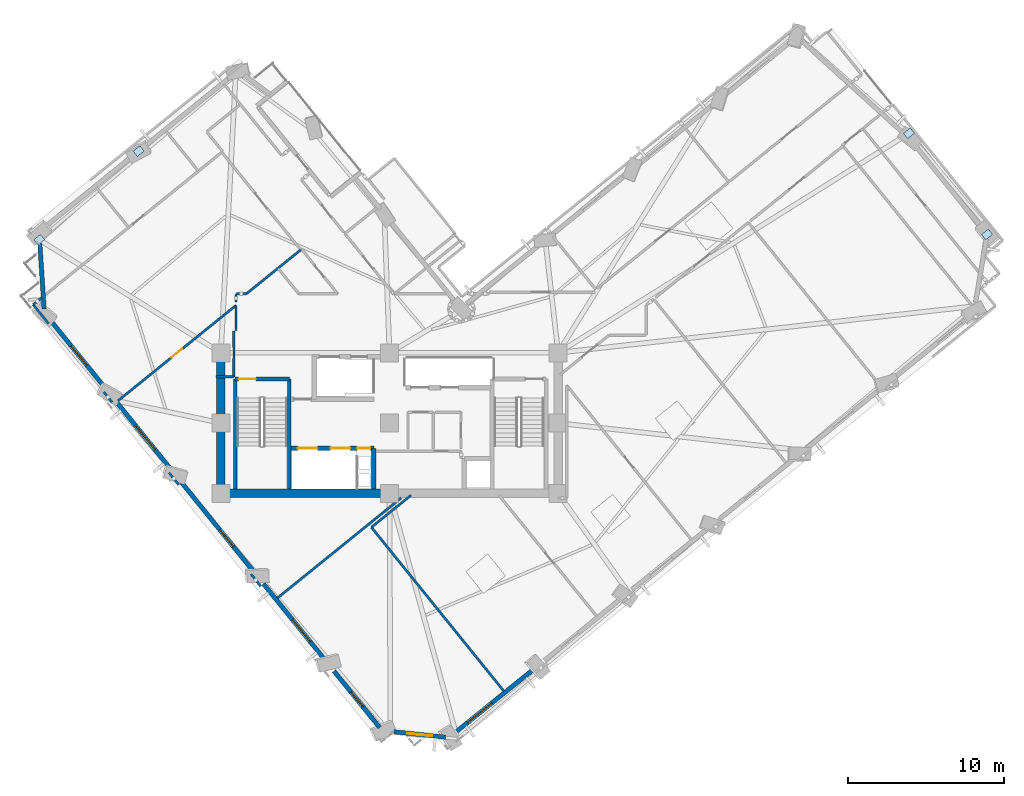
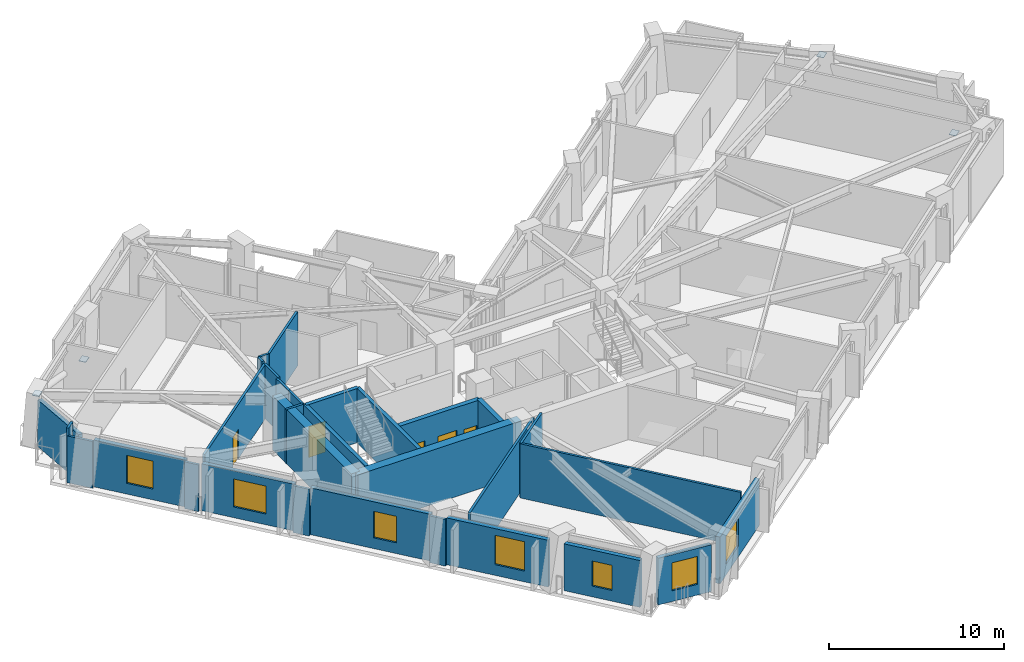
# One storey, part 5 of 14: 31 walls, 7 windows, 5 doors, 4 plates, 12 openings.
"""IFC4 building model written with IfcOpenShell, lengths in metres."""

import ifcopenshell
import ifcopenshell.guid

model = None  # the IFC model being written
_history = None  # IfcOwnerHistory: only IFC2X3 demands one
_inside = {}  # id of a spatial element -> (the spatial element, [elements in it])
_under = {}  # id of a project, library or spatial element -> (it, [spatial elements below it])
_declared = {}  # id of a project -> (the project, [libraries it declares])
_typed = {}  # id of a type object -> (the type object, [elements of that type])
_made_of = {}  # id of a material, layer set ... -> (it, [elements and type objects made of it])


def new_model(schema):
    """Start an empty IFC model of exactly this schema.

    Asked for "IFC4X3", IfcOpenShell would pick the latest addendum, in which some entities
    have other attributes; the version numbers below select the first issue.
    IFC2X3 requires an IfcOwnerHistory on every rooted entity: one is made here for all.
    """
    global model, _history
    if schema == "IFC4X3":
        model = ifcopenshell.file(schema_version=(4, 3, 0, 0))
    else:
        model = ifcopenshell.file(schema=schema)
    _inside.clear()
    _under.clear()
    _declared.clear()
    _typed.clear()
    _made_of.clear()
    _history = None
    if model.schema == "IFC2X3":
        org = make("IfcOrganization", Name="unknown")
        user = make(
            "IfcPersonAndOrganization",
            ThePerson=make("IfcPerson", FamilyName="unknown"),
            TheOrganization=org,
        )
        app = make(
            "IfcApplication",
            ApplicationDeveloper=org,
            Version="unknown",
            ApplicationFullName="unknown",
            ApplicationIdentifier="unknown",
        )
        _history = make(
            "IfcOwnerHistory",
            OwningUser=user,
            OwningApplication=app,
            ChangeAction="ADDED",
            CreationDate=0,
        )
    return model


def make(cls, **values):
    """One entity of the class cls with the attributes given. An attribute that is None is left unset."""
    return model.create_entity(
        cls, **{name: value for name, value in values.items() if value is not None}
    )


def rooted(cls, **values):
    """An entity with a GlobalId (a new one), such as an element, a storey or a relation."""
    return make(cls, GlobalId=ifcopenshell.guid.new(), OwnerHistory=_history, **values)


def si_unit(unit_type, name, prefix=None):
    """IfcSIUnit, for example si_unit("LENGTHUNIT", "METRE", prefix="MILLI")."""
    return make("IfcSIUnit", UnitType=unit_type, Prefix=prefix, Name=name)


def assignment(units):
    """IfcUnitAssignment: the units of a project."""
    return None if units is None else make("IfcUnitAssignment", Units=units)


def point(xyz):
    """IfcCartesianPoint."""
    return None if xyz is None else make("IfcCartesianPoint", Coordinates=xyz)


def direction(xyz):
    """IfcDirection."""
    return None if xyz is None else make("IfcDirection", DirectionRatios=xyz)


def frame(location, z_axis=None, x_axis=None):
    """IfcAxis2Placement3D, a coordinate frame: its origin and axes. An axis left out is left unset."""
    return make(
        "IfcAxis2Placement3D",
        Location=point(location),
        Axis=direction(z_axis),
        RefDirection=direction(x_axis),
    )


def frame_2d(location, x_axis=None):
    """IfcAxis2Placement2D, a coordinate frame in the plane: its origin and x axis."""
    return make(
        "IfcAxis2Placement2D", Location=point(location), RefDirection=direction(x_axis)
    )


def origin():
    """The frame at (0, 0, 0) with its axes left unset."""
    return frame((0.0, 0.0, 0.0))


def origin_2d():
    """The frame at (0, 0) in the plane with its x axis left unset."""
    return frame_2d((0.0, 0.0))


def place(relative_to, where):
    """IfcLocalPlacement: puts the frame where relative to a parent placement (None: the world)."""
    return make(
        "IfcLocalPlacement", PlacementRelTo=relative_to, RelativePlacement=where
    )


def context(
    kind, dimensions, precision=None, world=None, true_north=None, identifier=None
):
    """IfcGeometricRepresentationContext, for example the 3D "Model" context."""
    return make(
        "IfcGeometricRepresentationContext",
        ContextIdentifier=identifier,
        ContextType=kind,
        CoordinateSpaceDimension=dimensions,
        Precision=precision,
        WorldCoordinateSystem=world,
        TrueNorth=true_north,
    )


def subcontext(parent, identifier, kind, view, scale=None):
    """IfcGeometricRepresentationSubContext, for example "Body" below "Model"."""
    return make(
        "IfcGeometricRepresentationSubContext",
        ContextIdentifier=identifier,
        ContextType=kind,
        ParentContext=parent,
        TargetScale=scale,
        TargetView=view,
    )


def project(units=None, contexts=None):
    """IfcProject with its units and contexts."""
    return rooted(
        "IfcProject",
        Name="project",
        RepresentationContexts=contexts,
        UnitsInContext=assignment(units),
    )


def spatial(cls, under=None, at=None, **own):
    """A site, building, storey or space (cls), placed at a placement, below another one or the project."""
    s = rooted(cls, ObjectPlacement=at, **own)
    if under is not None:
        _under.setdefault(under.id(), (under, []))[1].append(s)
    return s


def profile(cls, at=None, kind="AREA", **sizes):
    """A parametric profile (cls). Its sizes go by their IFC names, for example OverallWidth=200.0."""
    return make(cls, ProfileType=kind, Position=at, **sizes)


def rectangle(**sizes):
    """IfcRectangleProfileDef."""
    return profile("IfcRectangleProfileDef", **sizes)


def extrude(swept, where, along, depth):
    """IfcExtrudedAreaSolid: the profile swept, set in the frame where, extruded along a direction by depth."""
    return make(
        "IfcExtrudedAreaSolid",
        SweptArea=swept,
        Position=where,
        ExtrudedDirection=direction(along),
        Depth=depth,
    )


def shape(context_of_items, identifier, shape_type, items):
    """IfcShapeRepresentation: the items that make up one representation, for example the "Body"."""
    return make(
        "IfcShapeRepresentation",
        ContextOfItems=context_of_items,
        RepresentationIdentifier=identifier,
        RepresentationType=shape_type,
        Items=items,
    )


def material(Name=None, Category=None):
    """IfcMaterial."""
    return make("IfcMaterial", Name=Name, Category=Category)


def layer(
    of_material, thickness, ventilated=None, Name=None, Category=None, Priority=None
):
    """IfcMaterialLayer: one layer of a wall or slab, of a material (None: an air gap)."""
    return make(
        "IfcMaterialLayer",
        Material=of_material,
        LayerThickness=thickness,
        IsVentilated=ventilated,
        Name=Name,
        Category=Category,
        Priority=Priority,
    )


def layer_set(layers, Name=None):
    """IfcMaterialLayerSet."""
    return make("IfcMaterialLayerSet", MaterialLayers=layers, LayerSetName=Name)


def made_of(thing, what):
    """Note that an element or type object is made of a material, layer set ...; save() writes the relation."""
    if what is not None:
        _made_of.setdefault(what.id(), (what, []))[1].append(thing)
    return thing


def type_object(cls, material=None, **own):
    """A type object (cls), such as IfcWallType, which elements share."""
    return made_of(rooted(cls, **own), material)


def element(
    cls,
    number,
    at=None,
    inside=None,
    cuts=None,
    type_object=None,
    material=None,
    context=None,
    identifier="Body",
    shape_type=None,
    held_by="IfcProductDefinitionShape",
    body=None,
    shapes=None,
    **own,
):
    """One element of the class cls, such as IfcWall. Its Tag is "e" and its number.

    at: its placement. inside: the storey or other place that contains it. cuts: it is an
    opening in that element (IfcRelVoidsElement). A single representation is given by context,
    identifier, shape_type and body (its items); several are given by shapes. held_by: the class
    of the entity that holds the representations. save() writes the other relations.
    """
    e = rooted(cls, Tag="e%d" % number, ObjectPlacement=at, **own)
    if body is not None:
        shapes = [shape(context, identifier, shape_type, body)]
    if shapes is not None:
        e.Representation = make(held_by, Representations=shapes)
    if inside is not None:
        _inside.setdefault(inside.id(), (inside, []))[1].append(e)
    if cuts is not None:
        rooted(
            "IfcRelVoidsElement", RelatingBuildingElement=cuts, RelatedOpeningElement=e
        )
    if type_object is not None:
        _typed.setdefault(type_object.id(), (type_object, []))[1].append(e)
    return made_of(e, material)


def fill(opening, filler):
    """IfcRelFillsElement: the door or window that sits in an opening."""
    return rooted(
        "IfcRelFillsElement",
        RelatingOpeningElement=opening,
        RelatedBuildingElement=filler,
    )


def aggregate(whole, parts):
    """IfcRelAggregates: a whole, such as a stair, and the parts it consists of."""
    return rooted("IfcRelAggregates", RelatingObject=whole, RelatedObjects=parts)


def save(model, path):
    """Write the relations noted so far, then the file.

    IfcRelAggregates (storeys below a building ...), IfcRelContainedInSpatialStructure (elements
    in a storey), IfcRelDefinesByType, IfcRelAssociatesMaterial and IfcRelDeclares: one each for
    every whole, place, type object, material and project.
    """
    for whole, parts in _under.values():
        aggregate(whole, parts)
    for where, things in _inside.values():
        rooted(
            "IfcRelContainedInSpatialStructure",
            RelatedElements=things,
            RelatingStructure=where,
        )
    for kind, things in _typed.values():
        rooted("IfcRelDefinesByType", RelatedObjects=things, RelatingType=kind)
    for what, things in _made_of.values():
        rooted("IfcRelAssociatesMaterial", RelatedObjects=things, RelatingMaterial=what)
    for by, libraries in _declared.values():
        rooted("IfcRelDeclares", RelatingContext=by, RelatedDefinitions=libraries)
    model.write(path)


model = new_model("IFC4")

# Units and contexts
model_context = context("Model", 3, precision=1e-05, world=origin(), true_north=direction((0.0, 1.0)))
body_context = subcontext(model_context, "Body", "Model", "MODEL_VIEW")
ifc_project = project(units=[si_unit("LENGTHUNIT", "METRE"), si_unit("AREAUNIT", "SQUARE_METRE"), si_unit("VOLUMEUNIT", "CUBIC_METRE"), si_unit("PLANEANGLEUNIT", "RADIAN"), si_unit("MASSUNIT", "GRAM", prefix="KILO")], contexts=[model_context])

# Site, building, storey
site_placement = place(None, origin())
site = spatial("IfcSite", under=ifc_project, at=site_placement, CompositionType="ELEMENT")
building_placement = place(site_placement, origin())
building = spatial("IfcBuilding", under=site, at=building_placement, Name="Gaonmaruhae Medical Tower", CompositionType="ELEMENT")
storey_placement = place(building_placement, frame((0.0, 0.0, 189.800048828125)))
storey = spatial("IfcBuildingStorey", under=building, at=storey_placement, Name="L45", CompositionType="ELEMENT", Elevation=189.800048828125)

# Plates
ifc_material_1 = material(Name="Steel HSA650 (650 MPa)", Category="steel")
ifc_layer_1 = layer(ifc_material_1, 0.028076171875)
ifc_layer_set_1 = layer_set([ifc_layer_1], Name="Steel HSA650 (650 MPa)")
plate_type = type_object("IfcPlateType", Name="GP-02 Tube Brace End Cap Gusset Plate", PredefinedType="USERDEFINED", material=ifc_layer_set_1)
for number, where, z_axis, x_axis, name in (
    (1, (63.064697265625, 24.379150390625, 0.23583984375), (0.0, 0.0, 1.0), (0.777694851116, 0.628641963719, 0.0), "L45 Gusset Cap Plate PLT-L45-PBR-E01A"),
    (2, (58.064208984375, 30.8515625, 3.51611328125), (0.0, 0.0, 1.0), (0.767165151815, 0.641449631569, 0.0), "L45 Gusset Cap Plate PLT-L45-PBR-E01B"),
    (3, (8.7353515625, 29.710693359375, 0.23583984375), (0.0, 0.0, 1.0), (0.777694851116, 0.628641963719, 0.0), "L45 Gusset Cap Plate PLT-L45-PBR-N02A"),
    (4, (2.36669921875, 24.037841796875, 3.51611328125), (0.0, 0.0, 1.0), (0.767165151815, 0.641449631569, 0.0), "L45 Gusset Cap Plate PLT-L45-PBR-N02B"),
):
    element("IfcPlate", number, at=place(storey_placement, frame(where, z_axis=z_axis, x_axis=x_axis)), inside=storey, type_object=plate_type, Name=name, ObjectType="GUSSET_PLATE", PredefinedType="USERDEFINED", context=body_context, shape_type="SweptSolid", body=[
        extrude(rectangle(XDim=0.56005859375, YDim=0.43994140625, at=origin_2d()), origin(), (0.0, 0.0, 1.0), 0.028076171875),
    ])

# Walls
ifc_material_2 = material(Name="Concrete C50/60", Category="concrete")
ifc_layer_2 = layer(ifc_material_2, 0.550048828125)
ifc_layer_set_2 = layer_set([ifc_layer_2], Name="Concrete C50/60")
wall_type_1 = type_object("IfcWallType", Name="CW-550 Mid-High Core Shear Wall", PredefinedType="SHEAR", material=ifc_layer_set_2)
wall_1_placement = place(storey_placement, frame((14.0, 7.800048828125, 0.0), z_axis=(0.0, 0.0, 1.0), x_axis=(1.0, 0.0, 0.0)))
element("IfcWall", 5, at=wall_1_placement, inside=storey, type_object=wall_type_1, Name="L45 Core Shear Wall CSW-S1", PredefinedType="SHEAR", context=body_context, shape_type="SweptSolid", body=[
    extrude(rectangle(XDim=10.800048828125, YDim=0.550048828125, at=frame_2d((5.39990234375, 0.0))), origin(), (0.0, 0.0, 1.0), 3.780029296875),
])
wall_2_placement = place(storey_placement, frame((14.0, 16.800048828125, 0.0), z_axis=(0.0, 0.0, 1.0), x_axis=(0.0, -1.0, 0.0)))
element("IfcWall", 6, at=wall_2_placement, inside=storey, type_object=wall_type_1, Name="L45 Core Shear Wall CSW-W1", PredefinedType="SHEAR", context=body_context, shape_type="SweptSolid", body=[
    extrude(rectangle(XDim=9.0, YDim=0.550048828125, at=frame_2d((4.5, 0.0))), origin(), (0.0, 0.0, 1.0), 3.780029296875),
])

# Wall, opening, window
ifc_material_3 = material(Name="Precast concrete C45/55", Category="concrete")
ifc_layer_3 = layer(ifc_material_3, 0.280029296875)
ifc_layer_set_3 = layer_set([ifc_layer_3], Name="Precast concrete C45/55")
wall_type_2 = type_object("IfcWallType", Name="EW-280 Upper Precast Masonry-Frame Facade Wall", PredefinedType="SOLIDWALL", material=ifc_layer_set_3)
wall_3_placement = place(storey_placement, frame((33.9853515625, -3.498779296875, 0.0), z_axis=(0.0, 0.0, 1.0), x_axis=(-0.777713460701, -0.628618941048, 0.0)))
wall_3 = element("IfcWall", 7, at=wall_3_placement, inside=storey, type_object=wall_type_2, Name="L45 Precast Masonry-Frame Wall S01-S02", PredefinedType="SOLIDWALL", context=body_context, shape_type="SweptSolid", body=[
    extrude(rectangle(XDim=6.27001953125, YDim=0.280029296875, at=frame_2d((3.135009765625, 0.0))), origin(), (0.0, 0.0, 1.0), 3.264892578125),
])
opening_1_placement = place(wall_3_placement, frame((3.38427734375, 0.0, 0.75)))
opening_1 = element("IfcOpeningElement", 8, at=opening_1_placement, cuts=wall_3, Name="Opening WN-02", PredefinedType="OPENING", context=body_context, shape_type="SweptSolid", body=[
    extrude(rectangle(XDim=2.0, YDim=1.949951171875, at=frame_2d((1.0, 0.97509765625))), frame((0.0, 0.14990234375, 0.0), z_axis=(0.0, -1.0, 0.0), x_axis=(1.0, 0.0, 0.0)), (0.0, 0.0, 1.0), 0.300048828125),
])
ifc_material_4 = material(Name="Anodised aluminium and Low-E double glazing", Category="aluminium")
window_type_1 = type_object("IfcWindowType", Name="WN-02 Double-Bed Ward Punched Window 2000x1950", PartitioningType="SINGLE_PANEL", PredefinedType="WINDOW", material=ifc_material_4)
window_1_placement = place(opening_1_placement, origin())
window_1 = element("IfcWindow", 9, at=window_1_placement, inside=storey, type_object=window_type_1, Name="L45 Modular Facade Window S01", OverallHeight=1.949951171875, OverallWidth=2.0, PartitioningType="SINGLE_PANEL", PredefinedType="WINDOW", context=body_context, shape_type="SweptSolid", body=[
    extrude(rectangle(XDim=2.0, YDim=1.949951171875, at=frame_2d((1.0, 0.97509765625))), frame((0.0, 0.030029296875, 0.0), z_axis=(0.0, -1.0, 0.0), x_axis=(1.0, 0.0, 0.0)), (0.0, 0.0, 1.0), 0.06005859375),
])
fill(opening_1, window_1)

# Wall
wall_4_placement = place(storey_placement, frame((2.681396484375, 19.601318359375, 0.0), z_axis=(0.0, 0.0, 1.0), x_axis=(-0.065060308934, 0.997881333727, 0.0)))
element("IfcWall", 10, at=wall_4_placement, inside=storey, type_object=wall_type_2, Name="L45 Precast Masonry-Frame Wall N03-W01", PredefinedType="SOLIDWALL", context=body_context, shape_type="SweptSolid", body=[
    extrude(rectangle(XDim=4.21044921875, YDim=0.280029296875, at=frame_2d((2.105224609375, 0.0))), origin(), (0.0, 0.0, 1.0), 3.264892578125),
])

# Wall, opening, window
wall_5_placement = place(storey_placement, frame((6.680419921875, 14.4365234375, 0.0), z_axis=(0.0, 0.0, 1.0), x_axis=(-0.628638981457, 0.777697261788, 0.0)))
wall_5 = element("IfcWall", 11, at=wall_5_placement, inside=storey, type_object=wall_type_2, Name="L45 Precast Masonry-Frame Wall W01-W02", PredefinedType="SOLIDWALL", context=body_context, shape_type="SweptSolid", body=[
    extrude(rectangle(XDim=5.627685546875, YDim=0.280029296875, at=frame_2d((2.81396484375, 0.0))), origin(), (0.0, 0.0, 1.0), 3.264892578125),
])
opening_2_placement = place(wall_5_placement, frame((2.01123046875, 0.0, 0.75)))
opening_2 = element("IfcOpeningElement", 12, at=opening_2_placement, cuts=wall_5, Name="Opening WN-01", PredefinedType="OPENING", context=body_context, shape_type="SweptSolid", body=[
    extrude(rectangle(XDim=1.60009765625, YDim=1.949951171875, at=frame_2d((0.800048828125, 0.97509765625))), frame((0.0, 0.14990234375, 0.0), z_axis=(0.0, -1.0, 0.0), x_axis=(1.0, 0.0, 0.0)), (0.0, 0.0, 1.0), 0.300048828125),
])
window_type_2 = type_object("IfcWindowType", Name="WN-01 Ward Punched Acoustic Window 1600x1950", PartitioningType="SINGLE_PANEL", PredefinedType="WINDOW", material=ifc_material_4)
window_2_placement = place(opening_2_placement, origin())
window_2 = element("IfcWindow", 13, at=window_2_placement, inside=storey, type_object=window_type_2, Name="L45 Modular Facade Window W01", OverallHeight=1.949951171875, OverallWidth=1.60009765625, PartitioningType="SINGLE_PANEL", PredefinedType="WINDOW", context=body_context, shape_type="SweptSolid", body=[
    extrude(rectangle(XDim=1.60009765625, YDim=1.949951171875, at=frame_2d((0.800048828125, 0.97509765625))), frame((0.0, 0.030029296875, 0.0), z_axis=(0.0, -1.0, 0.0), x_axis=(1.0, 0.0, 0.0)), (0.0, 0.0, 1.0), 0.06005859375),
])
fill(opening_2, window_2)

wall_6_placement = place(storey_placement, frame((10.857666015625, 9.26904296875, 0.0), z_axis=(0.0, 0.0, 1.0), x_axis=(-0.628636154894, 0.777699546586, 0.0)))
wall_6 = element("IfcWall", 14, at=wall_6_placement, inside=storey, type_object=wall_type_2, Name="L45 Precast Masonry-Frame Wall W02-W03", PredefinedType="SOLIDWALL", context=body_context, shape_type="SweptSolid", body=[
    extrude(rectangle(XDim=5.661865234375, YDim=0.280029296875, at=frame_2d((2.8310546875, 0.0))), origin(), (0.0, 0.0, 1.0), 3.264892578125),
])
opening_3_placement = place(wall_6_placement, frame((1.710693359375, 0.0, 0.75)))
opening_3 = element("IfcOpeningElement", 15, at=opening_3_placement, cuts=wall_6, Name="Opening WN-02", PredefinedType="OPENING", context=body_context, shape_type="SweptSolid", body=[
    extrude(rectangle(XDim=2.0, YDim=1.949951171875, at=frame_2d((1.0, 0.97509765625))), frame((0.0, 0.14990234375, 0.0), z_axis=(0.0, -1.0, 0.0), x_axis=(1.0, 0.0, 0.0)), (0.0, 0.0, 1.0), 0.300048828125),
])
window_3_placement = place(opening_3_placement, origin())
window_3 = element("IfcWindow", 16, at=window_3_placement, inside=storey, type_object=window_type_1, Name="L45 Modular Facade Window W02", OverallHeight=1.949951171875, OverallWidth=2.0, PartitioningType="SINGLE_PANEL", PredefinedType="WINDOW", context=body_context, shape_type="SweptSolid", body=[
    extrude(rectangle(XDim=2.0, YDim=1.949951171875, at=frame_2d((1.0, 0.97509765625))), frame((0.0, 0.030029296875, 0.0), z_axis=(0.0, -1.0, 0.0), x_axis=(1.0, 0.0, 0.0)), (0.0, 0.0, 1.0), 0.06005859375),
])
fill(opening_3, window_3)

wall_7_placement = place(storey_placement, frame((16.1083984375, 2.7734375, 0.0), z_axis=(0.0, 0.0, 1.0), x_axis=(-0.628635084849, 0.777700411532, 0.0)))
wall_7 = element("IfcWall", 17, at=wall_7_placement, inside=storey, type_object=wall_type_2, Name="L45 Precast Masonry-Frame Wall W03-W04", PredefinedType="SOLIDWALL", context=body_context, shape_type="SweptSolid", body=[
    extrude(rectangle(XDim=7.3603515625, YDim=0.280029296875, at=frame_2d((3.68017578125, 0.0))), origin(), (0.0, 0.0, 1.0), 3.264892578125),
])
opening_4_placement = place(wall_7_placement, frame((2.087646484375, 0.0, 0.75)))
opening_4 = element("IfcOpeningElement", 18, at=opening_4_placement, cuts=wall_7, Name="Opening WN-03", PredefinedType="OPENING", context=body_context, shape_type="SweptSolid", body=[
    extrude(rectangle(XDim=1.39990234375, YDim=1.85009765625, at=frame_2d((0.699951171875, 0.925048828125))), frame((0.0, 0.14990234375, 0.0), z_axis=(0.0, -1.0, 0.0), x_axis=(1.0, 0.0, 0.0)), (0.0, 0.0, 1.0), 0.300048828125),
])
window_type_3 = type_object("IfcWindowType", Name="WN-03 Isolation Ward Punched Window 1400x1850", PartitioningType="SINGLE_PANEL", PredefinedType="WINDOW", material=ifc_material_4)
window_4_placement = place(opening_4_placement, origin())
window_4 = element("IfcWindow", 19, at=window_4_placement, inside=storey, type_object=window_type_3, Name="L45 Modular Facade Window W03", OverallHeight=1.85009765625, OverallWidth=1.39990234375, PartitioningType="SINGLE_PANEL", PredefinedType="WINDOW", context=body_context, shape_type="SweptSolid", body=[
    extrude(rectangle(XDim=1.39990234375, YDim=1.85009765625, at=frame_2d((0.699951171875, 0.925048828125))), frame((0.0, 0.030029296875, 0.0), z_axis=(0.0, -1.0, 0.0), x_axis=(1.0, 0.0, 0.0)), (0.0, 0.0, 1.0), 0.06005859375),
])
fill(opening_4, window_4)

wall_8_placement = place(storey_placement, frame((20.640869140625, -2.83349609375, 0.0), z_axis=(0.0, 0.0, 1.0), x_axis=(-0.628652998625, 0.777685931029, 0.0)))
wall_8 = element("IfcWall", 20, at=wall_8_placement, inside=storey, type_object=wall_type_2, Name="L45 Precast Masonry-Frame Wall W04-W05", PredefinedType="SOLIDWALL", context=body_context, shape_type="SweptSolid", body=[
    extrude(rectangle(XDim=6.223388671875, YDim=0.280029296875, at=frame_2d((3.11181640625, 0.0))), origin(), (0.0, 0.0, 1.0), 3.264892578125),
])
opening_5_placement = place(wall_8_placement, frame((1.47509765625, 0.0, 0.75)))
opening_5 = element("IfcOpeningElement", 21, at=opening_5_placement, cuts=wall_8, Name="Opening WN-04", PredefinedType="OPENING", context=body_context, shape_type="SweptSolid", body=[
    extrude(rectangle(XDim=1.800048828125, YDim=2.050048828125, at=frame_2d((0.89990234375, 1.02490234375))), frame((0.0, 0.14990234375, 0.0), z_axis=(0.0, -1.0, 0.0), x_axis=(1.0, 0.0, 0.0)), (0.0, 0.0, 1.0), 0.300048828125),
])
window_type_4 = type_object("IfcWindowType", Name="WN-04 Clinic & Consult Punched Window 1800x2050", PartitioningType="SINGLE_PANEL", PredefinedType="WINDOW", material=ifc_material_4)
window_5_placement = place(opening_5_placement, origin())
window_5 = element("IfcWindow", 22, at=window_5_placement, inside=storey, type_object=window_type_4, Name="L45 Modular Facade Window W04", OverallHeight=2.050048828125, OverallWidth=1.800048828125, PartitioningType="SINGLE_PANEL", PredefinedType="WINDOW", context=body_context, shape_type="SweptSolid", body=[
    extrude(rectangle(XDim=1.800048828125, YDim=2.050048828125, at=frame_2d((0.89990234375, 1.02490234375))), frame((0.0, 0.030029296875, 0.0), z_axis=(0.0, -1.0, 0.0), x_axis=(1.0, 0.0, 0.0)), (0.0, 0.0, 1.0), 0.06005859375),
])
fill(opening_5, window_5)

wall_9_placement = place(storey_placement, frame((24.16943359375, -7.198974609375, 0.0), z_axis=(0.0, 0.0, 1.0), x_axis=(-0.628652530647, 0.777686309325, 0.0)))
wall_9 = element("IfcWall", 23, at=wall_9_placement, inside=storey, type_object=wall_type_2, Name="L45 Precast Masonry-Frame Wall W05-W06", PredefinedType="SOLIDWALL", context=body_context, shape_type="SweptSolid", body=[
    extrude(rectangle(XDim=4.6474609375, YDim=0.280029296875, at=frame_2d((2.32373046875, 0.0))), origin(), (0.0, 0.0, 1.0), 3.264892578125),
])
opening_6_placement = place(wall_9_placement, frame((1.72705078125, 0.0, 0.75)))
opening_6 = element("IfcOpeningElement", 24, at=opening_6_placement, cuts=wall_9, Name="Opening WN-05", PredefinedType="OPENING", context=body_context, shape_type="SweptSolid", body=[
    extrude(rectangle(XDim=1.199951171875, YDim=1.75, at=frame_2d((0.60009765625, 0.875))), frame((0.0, 0.14990234375, 0.0), z_axis=(0.0, -1.0, 0.0), x_axis=(1.0, 0.0, 0.0)), (0.0, 0.0, 1.0), 0.300048828125),
])
window_type_5 = type_object("IfcWindowType", Name="WN-05 Support & Staff Punched Window 1200x1750", PartitioningType="SINGLE_PANEL", PredefinedType="WINDOW", material=ifc_material_4)
window_6_placement = place(opening_6_placement, origin())
window_6 = element("IfcWindow", 25, at=window_6_placement, inside=storey, type_object=window_type_5, Name="L45 Modular Facade Window W05", OverallHeight=1.75, OverallWidth=1.199951171875, PartitioningType="SINGLE_PANEL", PredefinedType="WINDOW", context=body_context, shape_type="SweptSolid", body=[
    extrude(rectangle(XDim=1.199951171875, YDim=1.75, at=frame_2d((0.60009765625, 0.875))), frame((0.0, 0.030029296875, 0.0), z_axis=(0.0, -1.0, 0.0), x_axis=(1.0, 0.0, 0.0)), (0.0, 0.0, 1.0), 0.06005859375),
])
fill(opening_6, window_6)

wall_10_placement = place(storey_placement, frame((28.39013671875, -7.819091796875, 0.0), z_axis=(0.0, 0.0, 1.0), x_axis=(-0.994433554947, 0.105365576902, 0.0)))
wall_10 = element("IfcWall", 26, at=wall_10_placement, inside=storey, type_object=wall_type_2, Name="L45 Precast Masonry-Frame Wall W06-S01", PredefinedType="SOLIDWALL", context=body_context, shape_type="SweptSolid", body=[
    extrude(rectangle(XDim=3.32275390625, YDim=0.280029296875, at=frame_2d((1.661376953125, 0.0))), origin(), (0.0, 0.0, 1.0), 3.264892578125),
])
opening_7_placement = place(wall_10_placement, frame((0.86083984375, 0.0, 0.75)))
opening_7 = element("IfcOpeningElement", 27, at=opening_7_placement, cuts=wall_10, Name="Opening WN-01", PredefinedType="OPENING", context=body_context, shape_type="SweptSolid", body=[
    extrude(rectangle(XDim=1.60009765625, YDim=1.949951171875, at=frame_2d((0.800048828125, 0.97509765625))), frame((0.0, 0.14990234375, 0.0), z_axis=(0.0, -1.0, 0.0), x_axis=(1.0, 0.0, 0.0)), (0.0, 0.0, 1.0), 0.300048828125),
])
window_7_placement = place(opening_7_placement, origin())
window_7 = element("IfcWindow", 28, at=window_7_placement, inside=storey, type_object=window_type_2, Name="L45 Modular Facade Window W06", OverallHeight=1.949951171875, OverallWidth=1.60009765625, PartitioningType="SINGLE_PANEL", PredefinedType="WINDOW", context=body_context, shape_type="SweptSolid", body=[
    extrude(rectangle(XDim=1.60009765625, YDim=1.949951171875, at=frame_2d((0.800048828125, 0.97509765625))), frame((0.0, 0.030029296875, 0.0), z_axis=(0.0, -1.0, 0.0), x_axis=(1.0, 0.0, 0.0)), (0.0, 0.0, 1.0), 0.06005859375),
])
fill(opening_7, window_7)

# Walls
ifc_material_5 = material(Name="Gypsum board partition", Category="gypsum")
ifc_layer_4 = layer(ifc_material_5, 0.14990234375)
ifc_layer_set_4 = layer_set([ifc_layer_4], Name="Gypsum board partition")
wall_type_3 = type_object("IfcWallType", Name="PW-150 Rated Clinical Corridor Partition", PredefinedType="PARTITIONING", material=ifc_layer_set_4)
wall_11_placement = place(storey_placement, frame((32.116943359375, -4.861083984375, 0.0), z_axis=(0.0, 0.0, 1.0), x_axis=(-0.628683016431, 0.777661664769, 0.0)))
element("IfcWall", 29, at=wall_11_placement, inside=storey, type_object=wall_type_3, Name="L45 Interior Partition L45-SUP02-9", PredefinedType="PARTITIONING", context=body_context, shape_type="SweptSolid", body=[
    extrude(rectangle(XDim=13.4853515625, YDim=0.14990234375, at=frame_2d((6.74267578125, 0.0))), origin(), (0.0, 0.0, 1.0), 3.780029296875),
])
wall_12_placement = place(storey_placement, frame((23.638916015625, 5.6259765625, 0.0), z_axis=(0.0, 0.0, 1.0), x_axis=(0.777842628049, 0.628459104468, 0.0)))
element("IfcWall", 30, at=wall_12_placement, inside=storey, type_object=wall_type_3, Name="L45 Interior Partition L45-SUP02-10", PredefinedType="PARTITIONING", context=body_context, shape_type="SweptSolid", body=[
    extrude(rectangle(XDim=3.260498046875, YDim=0.14990234375, at=frame_2d((1.63037109375, 0.0))), origin(), (0.0, 0.0, 1.0), 3.780029296875),
])
wall_13_placement = place(storey_placement, frame((25.5439453125, 7.5, 0.0), z_axis=(0.0, 0.0, 1.0), x_axis=(-0.777674119326, -0.628667610213, 0.0)))
element("IfcWall", 31, at=wall_13_placement, inside=storey, type_object=wall_type_3, Name="L45 Interior Partition L45-WOF07-29", PredefinedType="PARTITIONING", context=body_context, shape_type="SweptSolid", body=[
    extrude(rectangle(XDim=10.194580078125, YDim=0.14990234375, at=frame_2d((5.09716796875, 0.0))), origin(), (0.0, 0.0, 1.0), 3.780029296875),
])
wall_14_placement = place(storey_placement, frame((16.549072265625, 1.862060546875, 0.0), z_axis=(0.0, 0.0, 1.0), x_axis=(-0.628792218856, 0.777573369854, 0.0)))
element("IfcWall", 32, at=wall_14_placement, inside=storey, type_object=wall_type_3, Name="L45 Interior Partition L45-WOF07-30", PredefinedType="PARTITIONING", context=body_context, shape_type="SweptSolid", body=[
    extrude(rectangle(XDim=0.986083984375, YDim=0.14990234375, at=frame_2d((0.4931640625, 0.0))), origin(), (0.0, 0.0, 1.0), 3.264892578125),
])
wall_15_placement = place(storey_placement, frame((14.820068359375, 18.199951171875, 0.0), z_axis=(0.0, 0.0, 1.0), x_axis=(0.01499656939, -0.99988754513, 0.0)))
element("IfcWall", 33, at=wall_15_placement, inside=storey, type_object=wall_type_3, Name="L45 Interior Partition L45-WOF08-32", PredefinedType="PARTITIONING", context=body_context, shape_type="SweptSolid", body=[
    extrude(rectangle(XDim=1.400146484375, YDim=0.14990234375, at=frame_2d((0.7001953125, 0.0))), origin(), (0.0, 0.0, 1.0), 3.780029296875),
])
wall_16_placement = place(storey_placement, frame((14.841064453125, 16.800048828125, 0.0), z_axis=(0.0, 0.0, 1.0), x_axis=(-0.01363221443, -0.999907077048, 0.0)))
element("IfcWall", 34, at=wall_16_placement, inside=storey, type_object=wall_type_3, Name="L45 Interior Partition L45-WOF08-33", PredefinedType="PARTITIONING", context=body_context, shape_type="SweptSolid", body=[
    extrude(rectangle(XDim=1.540283203125, YDim=0.14990234375, at=frame_2d((0.77001953125, 0.0))), origin(), (0.0, 0.0, 1.0), 3.780029296875),
])
wall_17_placement = place(storey_placement, frame((14.820068359375, 15.260009765625, 0.0), z_axis=(0.0, 0.0, 1.0), x_axis=(-1.0, 0.0, 0.0)))
element("IfcWall", 35, at=wall_17_placement, inside=storey, type_object=wall_type_3, Name="L45 Interior Partition L45-WOF08-34", PredefinedType="PARTITIONING", context=body_context, shape_type="SweptSolid", body=[
    extrude(rectangle(XDim=1.1201171875, YDim=0.14990234375, at=frame_2d((0.56005859375, 0.0))), origin(), (0.0, 0.0, 1.0), 3.780029296875),
])
wall_18_placement = place(storey_placement, frame((11.302001953125, 8.35302734375, 0.0), z_axis=(0.0, 0.0, 1.0), x_axis=(-0.628532002614, 0.777783724238, 0.0)))
element("IfcWall", 36, at=wall_18_placement, inside=storey, type_object=wall_type_3, Name="L45 Interior Partition L45-WOF08-35", PredefinedType="PARTITIONING", context=body_context, shape_type="SweptSolid", body=[
    extrude(rectangle(XDim=0.9912109375, YDim=0.14990234375, at=frame_2d((0.49560546875, 0.0))), origin(), (0.0, 0.0, 1.0), 3.264892578125),
])

# Wall, opening, door
wall_19_placement = place(storey_placement, frame((7.406982421875, 13.720947265625, 0.0), z_axis=(0.0, 0.0, 1.0), x_axis=(0.777667368678, 0.628675960805, 0.0)))
wall_19 = element("IfcWall", 37, at=wall_19_placement, inside=storey, type_object=wall_type_3, Name="L45 Interior Partition L45-WOF08-36", PredefinedType="PARTITIONING", context=body_context, shape_type="SweptSolid", body=[
    extrude(rectangle(XDim=9.725341796875, YDim=0.14990234375, at=frame_2d((4.86279296875, 0.0))), origin(), (0.0, 0.0, 1.0), 3.780029296875),
])
opening_8_placement = place(wall_19_placement, frame((4.4326171875, 0.0, 0.0)))
opening_8 = element("IfcOpeningElement", 38, at=opening_8_placement, cuts=wall_19, Name="Opening AD-01", PredefinedType="OPENING", context=body_context, shape_type="SweptSolid", body=[
    extrude(rectangle(XDim=0.860107421875, YDim=2.06005859375, at=frame_2d((0.43017578125, 1.030029296875))), frame((0.0, 0.0849609375, 0.0), z_axis=(0.0, -1.0, 0.0), x_axis=(1.0, 0.0, 0.0)), (0.0, 0.0, 1.0), 0.169921875),
])
ifc_material_6 = material(Name="Powder-coated steel access door", Category="steel")
door_type_1 = type_object("IfcDoorType", Name="AD-01 Riser & Closet Access Fire Door 860x2060", OperationType="NOTDEFINED", PredefinedType="DOOR", material=ifc_material_6)
door_1_placement = place(opening_8_placement, origin())
door_1 = element("IfcDoor", 39, at=door_1_placement, inside=storey, type_object=door_type_1, Name="L45 Ward Physician Reporting Office Sliding Door", OperationType="SLIDING_TO_LEFT", OverallHeight=2.06005859375, OverallWidth=0.860107421875, PredefinedType="DOOR", context=body_context, shape_type="SweptSolid", body=[
    extrude(rectangle(XDim=0.860107421875, YDim=2.06005859375, at=frame_2d((0.43017578125, 1.030029296875))), frame((0.0, 0.02490234375, 0.0), z_axis=(0.0, -1.0, 0.0), x_axis=(1.0, 0.0, 0.0)), (0.0, 0.0, 1.0), 0.050048828125),
])
fill(opening_8, door_1)

# Walls
wall_20_placement = place(storey_placement, frame((14.969970703125, 19.8349609375, 0.0), z_axis=(0.0, 0.0, 1.0), x_axis=(0.0, -1.0, 0.0)))
element("IfcWall", 40, at=wall_20_placement, inside=storey, type_object=wall_type_3, Name="L45 Interior Partition L45-WOF08-37", PredefinedType="PARTITIONING", context=body_context, shape_type="SweptSolid", body=[
    extrude(rectangle(XDim=1.60498046875, YDim=0.14990234375, at=frame_2d((0.802490234375, 0.0))), origin(), (0.0, 0.0, 1.0), 3.780029296875),
])
wall_21_placement = place(storey_placement, frame((14.969970703125, 20.552978515625, 0.0), z_axis=(0.0, 0.0, 1.0), x_axis=(0.0, -1.0, 0.0)))
element("IfcWall", 41, at=wall_21_placement, inside=storey, type_object=wall_type_3, Name="L45 Interior Partition L45-WOF09-38", PredefinedType="PARTITIONING", context=body_context, shape_type="SweptSolid", body=[
    extrude(rectangle(XDim=0.512939453125, YDim=0.14990234375, at=frame_2d((0.25634765625, 0.0))), origin(), (0.0, 0.0, 1.0), 3.780029296875),
])
wall_22_placement = place(storey_placement, frame((7.0380859375, 13.62890625, 0.0), z_axis=(0.0, 0.0, 1.0), x_axis=(-0.628736884147, 0.777618113545, 0.0)))
element("IfcWall", 42, at=wall_22_placement, inside=storey, type_object=wall_type_3, Name="L45 Interior Partition L45-WOF09-39", PredefinedType="PARTITIONING", context=body_context, shape_type="SweptSolid", body=[
    extrude(rectangle(XDim=0.852783203125, YDim=0.14990234375, at=frame_2d((0.42626953125, 0.0))), origin(), (0.0, 0.0, 1.0), 3.264892578125),
])
wall_23_placement = place(storey_placement, frame((2.964111328125, 18.6689453125, 0.0), z_axis=(0.0, 0.0, 1.0), x_axis=(-0.628792671054, 0.77757300418, 0.0)))
element("IfcWall", 43, at=wall_23_placement, inside=storey, type_object=wall_type_3, Name="L45 Interior Partition L45-WOF09-40", PredefinedType="PARTITIONING", context=body_context, shape_type="SweptSolid", body=[
    extrude(rectangle(XDim=1.558837890625, YDim=0.14990234375, at=frame_2d((0.779296875, 0.0))), origin(), (0.0, 0.0, 1.0), 3.264892578125),
])
wall_24_placement = place(storey_placement, frame((1.98388671875, 19.881103515625, 0.0), z_axis=(0.0, 0.0, 1.0), x_axis=(0.778061066259, 0.628188647758, 0.0)))
element("IfcWall", 44, at=wall_24_placement, inside=storey, type_object=wall_type_3, Name="L45 Interior Partition L45-WOF09-41", PredefinedType="PARTITIONING", context=body_context, shape_type="SweptSolid", body=[
    extrude(rectangle(XDim=0.68896484375, YDim=0.14990234375, at=frame_2d((0.344482421875, 0.0))), origin(), (0.0, 0.0, 1.0), 3.780029296875),
])
wall_25_placement = place(storey_placement, frame((19.115966796875, 23.39111328125, 0.0), z_axis=(0.0, 0.0, 1.0), x_axis=(-0.777737917083, -0.628588682949, 0.0)))
element("IfcWall", 45, at=wall_25_placement, inside=storey, type_object=wall_type_3, Name="L45 Interior Partition L45-WOF09-44", PredefinedType="PARTITIONING", context=body_context, shape_type="SweptSolid", body=[
    extrude(rectangle(XDim=4.471923828125, YDim=0.14990234375, at=frame_2d((2.23583984375, 0.0))), origin(), (0.0, 0.0, 1.0), 3.780029296875),
])
wall_26_placement = place(storey_placement, frame((15.637939453125, 20.580078125, 0.0), z_axis=(0.0, 0.0, 1.0), x_axis=(-1.0, 0.0, 0.0)))
element("IfcWall", 46, at=wall_26_placement, inside=storey, type_object=wall_type_3, Name="L45 Interior Partition L45-WOF09-45", PredefinedType="PARTITIONING", context=body_context, shape_type="SweptSolid", body=[
    extrude(rectangle(XDim=0.640869140625, YDim=0.14990234375, at=frame_2d((0.3203125, 0.0))), origin(), (0.0, 0.0, 1.0), 3.780029296875),
])

# Wall, opening, door
ifc_layer_5 = layer(ifc_material_2, 0.239990234375)
ifc_layer_set_5 = layer_set([ifc_layer_5], Name="Concrete C50/60")
wall_type_4 = type_object("IfcWallType", Name="SW-240 Dogleg Stair Tight Shaft Wall", PredefinedType="SOLIDWALL", material=ifc_layer_set_5)
wall_27_placement = place(storey_placement, frame((14.919921875, 15.1201171875, 0.0), z_axis=(0.0, 0.0, 1.0), x_axis=(1.0, 0.0, 0.0)))
wall_27 = element("IfcWall", 47, at=wall_27_placement, inside=storey, type_object=wall_type_4, Name="L45 ST-01 Stair Shaft Wall SHW-ST-01-N", PredefinedType="SOLIDWALL", context=body_context, shape_type="SweptSolid", body=[
    extrude(rectangle(XDim=3.4599609375, YDim=0.239990234375, at=frame_2d((1.72998046875, 0.0))), origin(), (0.0, 0.0, 1.0), 3.780029296875),
])
opening_9_placement = place(wall_27_placement, frame((0.219970703125, 0.0, 0.0)))
opening_9 = element("IfcOpeningElement", 48, at=opening_9_placement, cuts=wall_27, Name="Opening FD-01", PredefinedType="OPENING", context=body_context, shape_type="SweptSolid", body=[
    extrude(rectangle(XDim=1.10009765625, YDim=2.14990234375, at=frame_2d((0.550048828125, 1.074951171875))), frame((0.0, 0.1298828125, 0.0), z_axis=(0.0, -1.0, 0.0), x_axis=(1.0, 0.0, 0.0)), (0.0, 0.0, 1.0), 0.260009765625),
])
ifc_material_7 = material(Name="Powder-coated steel fire door", Category="steel")
door_type_2 = type_object("IfcDoorType", Name="FD-01 Escape Stair Protected Fire Door 1100x2150", OperationType="NOTDEFINED", PredefinedType="DOOR", material=ifc_material_7)
door_2_placement = place(opening_9_placement, origin())
door_2 = element("IfcDoor", 49, at=door_2_placement, inside=storey, type_object=door_type_2, Name="L45 ST-01 Protected Escape Stair Door", OperationType="SINGLE_SWING_LEFT", OverallHeight=2.14990234375, OverallWidth=1.10009765625, PredefinedType="DOOR", context=body_context, shape_type="SweptSolid", body=[
    extrude(rectangle(XDim=1.10009765625, YDim=2.14990234375, at=frame_2d((0.550048828125, 1.074951171875))), frame((0.0, 0.02490234375, 0.0), z_axis=(0.0, -1.0, 0.0), x_axis=(1.0, 0.0, 0.0)), (0.0, 0.0, 1.0), 0.050048828125),
])
fill(opening_9, door_2)

# Walls
for number, where, z_axis, x_axis, name in (
    (50, (18.3798828125, 15.1201171875, 0.0), (0.0, 0.0, 1.0), (0.0, -1.0, 0.0), "L45 ST-01 Stair Shaft Wall SHW-ST-01-E"),
    (51, (14.919921875, 8.074951171875, 0.0), (0.0, 0.0, 1.0), (0.0, 1.0, 0.0), "L45 ST-01 Stair Shaft Wall SHW-ST-01-W"),
):
    element("IfcWall", number, at=place(storey_placement, frame(where, z_axis=z_axis, x_axis=x_axis)), inside=storey, type_object=wall_type_4, Name=name, PredefinedType="SOLIDWALL", context=body_context, shape_type="SweptSolid", body=[
        extrude(rectangle(XDim=7.045166015625, YDim=0.239990234375, at=frame_2d((3.5224609375, 0.0))), origin(), (0.0, 0.0, 1.0), 3.780029296875),
    ])

# Wall, openings, doors
ifc_layer_6 = layer(ifc_material_2, 0.300048828125)
ifc_layer_set_6 = layer_set([ifc_layer_6], Name="Concrete C50/60")
wall_type_5 = type_object("IfcWallType", Name="SW-300 Stair & Lift Hoistway Shaft Wall", PredefinedType="SOLIDWALL", material=ifc_layer_set_6)
wall_28_placement = place(storey_placement, frame((18.5, 10.679931640625, 0.0), z_axis=(0.0, 0.0, 1.0), x_axis=(1.0, 0.0, 0.0)))
wall_28 = element("IfcWall", 52, at=wall_28_placement, inside=storey, type_object=wall_type_5, Name="L45 Shaft Enclosure Wall SHW-FFN", PredefinedType="SOLIDWALL", context=body_context, shape_type="SweptSolid", body=[
    extrude(rectangle(XDim=5.300048828125, YDim=0.300048828125, at=frame_2d((2.64990234375, 0.0))), origin(), (0.0, 0.0, 1.0), 3.780029296875),
])
opening_10_placement = place(wall_28_placement, frame((4.219970703125, 0.0, 0.0)))
opening_10 = element("IfcOpeningElement", 53, at=opening_10_placement, cuts=wall_28, Name="Opening AD-01", PredefinedType="OPENING", context=body_context, shape_type="SweptSolid", body=[
    extrude(rectangle(XDim=0.860107421875, YDim=2.06005859375, at=frame_2d((0.43017578125, 1.030029296875))), frame((0.0, 0.16015625, 0.0), z_axis=(0.0, -1.0, 0.0), x_axis=(1.0, 0.0, 0.0)), (0.0, 0.0, 1.0), 0.320068359375),
])
opening_11_placement = place(wall_28_placement, frame((0.425048828125, 0.0, 0.0)))
opening_11 = element("IfcOpeningElement", 54, at=opening_11_placement, cuts=wall_28, Name="Opening LD-F1", PredefinedType="OPENING", context=body_context, shape_type="SweptSolid", body=[
    extrude(rectangle(XDim=1.25, YDim=2.179931640625, at=frame_2d((0.625, 1.08984375))), frame((0.0, 0.16015625, 0.0), z_axis=(0.0, -1.0, 0.0), x_axis=(1.0, 0.0, 0.0)), (0.0, 0.0, 1.0), 0.320068359375),
])
opening_12_placement = place(wall_28_placement, frame((2.52490234375, 0.0, 0.0)))
opening_12 = element("IfcOpeningElement", 55, at=opening_12_placement, cuts=wall_28, Name="Opening LD-F1", PredefinedType="OPENING", context=body_context, shape_type="SweptSolid", body=[
    extrude(rectangle(XDim=1.25, YDim=2.179931640625, at=frame_2d((0.625, 1.08984375))), frame((0.0, 0.16015625, 0.0), z_axis=(0.0, -1.0, 0.0), x_axis=(1.0, 0.0, 0.0)), (0.0, 0.0, 1.0), 0.320068359375),
])
door_3_placement = place(opening_10_placement, origin())
door_3 = element("IfcDoor", 56, at=door_3_placement, inside=storey, type_object=door_type_1, Name="L45 Medical Gas and MEP Riser Access Door", OperationType="SINGLE_SWING_RIGHT", OverallHeight=2.06005859375, OverallWidth=0.860107421875, PredefinedType="DOOR", context=body_context, shape_type="SweptSolid", body=[
    extrude(rectangle(XDim=0.860107421875, YDim=2.06005859375, at=frame_2d((0.43017578125, 1.030029296875))), frame((0.0, 0.02490234375, 0.0), z_axis=(0.0, -1.0, 0.0), x_axis=(1.0, 0.0, 0.0)), (0.0, 0.0, 1.0), 0.050048828125),
])
fill(opening_10, door_3)
ifc_material_8 = material(Name="Brushed stainless steel 316L landing door", Category="steel")
door_type_3 = type_object("IfcDoorType", Name="LD-F1 Firefighting & Bed Lift Sliding Landing Door 1250x2180", OperationType="NOTDEFINED", PredefinedType="DOOR", material=ifc_material_8)
door_4_placement = place(opening_11_placement, origin())
door_4 = element("IfcDoor", 57, at=door_4_placement, inside=storey, type_object=door_type_3, Name="L45 Firefighting Lift Landing Door FFL-01", OperationType="DOUBLE_DOOR_SLIDING", OverallHeight=2.179931640625, OverallWidth=1.25, PredefinedType="DOOR", context=body_context, shape_type="SweptSolid", body=[
    extrude(rectangle(XDim=1.25, YDim=2.179931640625, at=frame_2d((0.625, 1.08984375))), frame((0.0, 0.02490234375, 0.0), z_axis=(0.0, -1.0, 0.0), x_axis=(1.0, 0.0, 0.0)), (0.0, 0.0, 1.0), 0.050048828125),
])
fill(opening_11, door_4)
door_5_placement = place(opening_12_placement, origin())
door_5 = element("IfcDoor", 58, at=door_5_placement, inside=storey, type_object=door_type_3, Name="L45 Firefighting Lift Landing Door FFL-02", OperationType="DOUBLE_DOOR_SLIDING", OverallHeight=2.179931640625, OverallWidth=1.25, PredefinedType="DOOR", context=body_context, shape_type="SweptSolid", body=[
    extrude(rectangle(XDim=1.25, YDim=2.179931640625, at=frame_2d((0.625, 1.08984375))), frame((0.0, 0.02490234375, 0.0), z_axis=(0.0, -1.0, 0.0), x_axis=(1.0, 0.0, 0.0)), (0.0, 0.0, 1.0), 0.050048828125),
])
fill(opening_12, door_5)

# Wall
wall_29_placement = place(storey_placement, frame((23.800048828125, 8.074951171875, 0.0), z_axis=(0.0, 0.0, 1.0), x_axis=(0.0, 1.0, 0.0)))
element("IfcWall", 59, at=wall_29_placement, inside=storey, type_object=wall_type_5, Name="L45 Shaft Enclosure Wall SHW-FFE", PredefinedType="SOLIDWALL", context=body_context, shape_type="SweptSolid", body=[
    extrude(rectangle(XDim=2.60498046875, YDim=0.300048828125, at=frame_2d((1.302490234375, 0.0))), origin(), (0.0, 0.0, 1.0), 3.780029296875),
])

save(model, "model.ifc")
